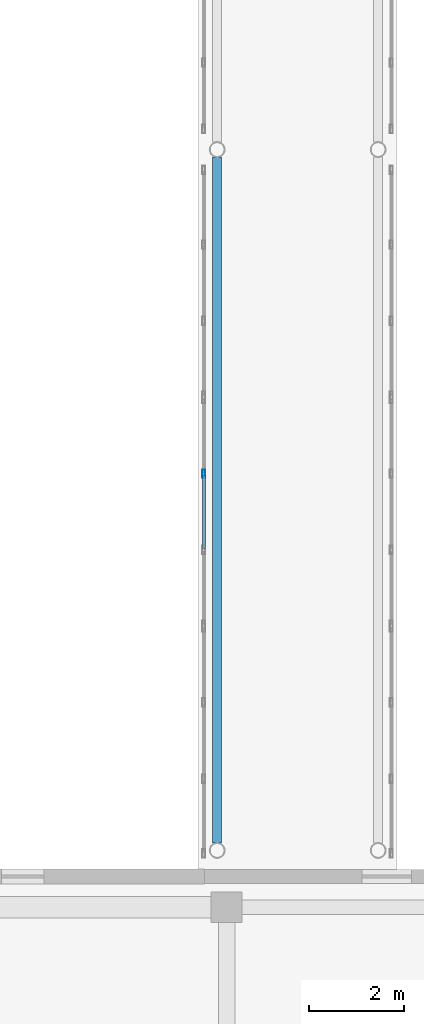
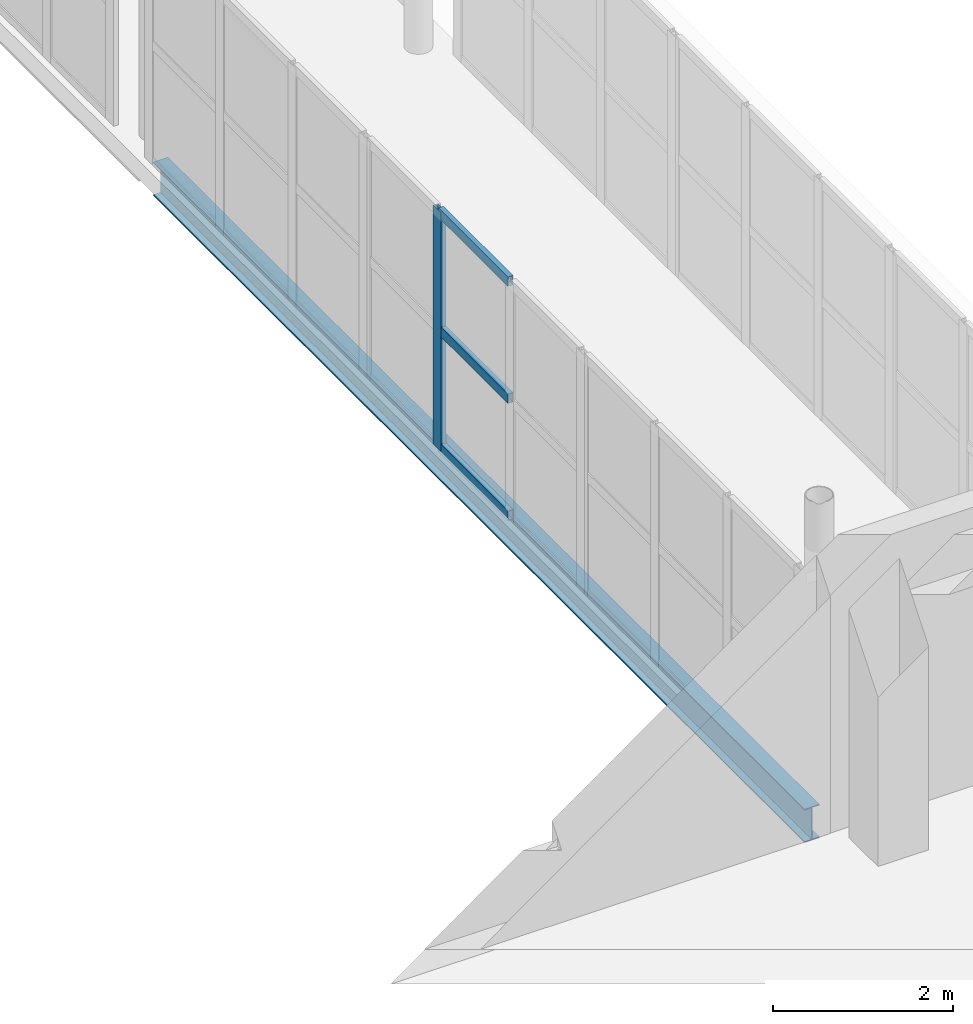
# One storey, part 33 of 146: 4 members, 1 beam, 1 element without a shape of its own.
"""IFC4 building model written with IfcOpenShell, lengths in metres."""

from ifc_helpers import new_model, si_unit, direction, frame, origin, origin_2d, place, context, subcontext, project, spatial, hollow_rectangle, i_section, extrude, material, layer, layer_set, material_profile, profile_set, type_object, element, aggregate, save


model = new_model("IFC4")

# Units and contexts
model_context = context("Model", 3, precision=1e-05, world=origin(), true_north=direction((0.0, 1.0)))
body_context = subcontext(model_context, "Body", "Model", "MODEL_VIEW")
ifc_project = project(units=[si_unit("LENGTHUNIT", "METRE"), si_unit("AREAUNIT", "SQUARE_METRE"), si_unit("VOLUMEUNIT", "CUBIC_METRE"), si_unit("PLANEANGLEUNIT", "RADIAN"), si_unit("MASSUNIT", "GRAM", prefix="KILO")], contexts=[model_context])

# Site, building, storey
site_placement = place(None, origin())
site = spatial("IfcSite", under=ifc_project, at=site_placement, CompositionType="ELEMENT")
building_placement = place(site_placement, origin())
building = spatial("IfcBuilding", under=site, at=building_placement, Name="Valcora Specialist Clinic", CompositionType="ELEMENT")
storey_placement = place(building_placement, frame((0.0, 0.0, 9.52001953125)))
storey = spatial("IfcBuildingStorey", under=building, at=storey_placement, Name="L02", CompositionType="ELEMENT", Elevation=9.52001953125)

# Beam
ifc_material_1 = material(Name="Steel ASTM A992 Grade 50", Category="steel")
ifc_material_profile_1 = material_profile(ifc_material_1, i_section(OverallWidth=0.18994140625, OverallDepth=0.45703125, WebThickness=0.009033203125, FlangeThickness=0.014892578125, at=origin_2d()), Name="ST-IR-460X190")
ifc_profile_set_1 = profile_set([ifc_material_profile_1], Name="Steel ASTM A992 Grade 50")
beam_type = type_object("IfcBeamType", Name="TY-BG-IR460", PredefinedType="HOLLOWCORE", material=ifc_profile_set_1)
beam_placement = place(storey_placement, frame((61.60009765625, 23.360107421875, -0.482421875), z_axis=(0.0, 1.0, 0.0), x_axis=(-1.0, 0.0, 0.0)))
element("IfcBeam", 1, at=beam_placement, inside=storey, type_object=beam_type, Name="Bridge girder BM-L02-1624", PredefinedType="HOLLOWCORE", context=body_context, shape_type="SweptSolid", body=[
    extrude(i_section(OverallWidth=0.18994140625, OverallDepth=0.45703125, WebThickness=0.009033203125, FlangeThickness=0.014892578125, at=origin_2d()), origin(), (0.0, 0.0, 1.0), 14.47998046875),
])

# Curtain wall, members
ifc_material_2 = material(Name="Anodized Bronze Aluminium 6063-T6", Category="aluminium")
ifc_layer = layer(ifc_material_2, 0.175048828125)
ifc_layer_set = layer_set([ifc_layer], Name="Anodized Bronze Aluminium 6063-T6")
curtain_wall_type = type_object("IfcCurtainWallType", Name="TY-CW-BRG14", PredefinedType="NOTDEFINED", material=ifc_layer_set)
curtain_wall_placement = place(storey_placement, origin())
curtain_wall = element("IfcCurtainWall", 2, at=curtain_wall_placement, inside=storey, type_object=curtain_wall_type, Name="Curtain wall CW-L02-250", PredefinedType="NOTDEFINED")
ifc_material_profile_2 = material_profile(ifc_material_2, hollow_rectangle(XDim=0.06494140625, YDim=0.175048828125, WallThickness=0.00390625, at=origin_2d()), Name="AL-MUL-65X175")
ifc_profile_set_2 = profile_set([ifc_material_profile_2], Name="Anodized Bronze Aluminium 6063-T6")
member_type_1 = type_object("IfcMemberType", Name="TY-CWM-65X175", PredefinedType="MULLION", material=ifc_profile_set_2)
member_1_placement = place(storey_placement, frame((61.320068359375, 31.155517578125, 0.0), z_axis=(0.0, 0.0, 1.0), x_axis=(-1.0, 0.0, 0.0)))
member_1 = element("IfcMember", 3, at=member_1_placement, type_object=member_type_1, Name="CW-BRG-14 mullion 3", PredefinedType="MULLION", context=body_context, shape_type="SweptSolid", body=[
    extrude(hollow_rectangle(XDim=0.06494140625, YDim=0.175048828125, WallThickness=0.00390625, at=origin_2d()), origin(), (0.0, 0.0, 1.0), 3.239990234375),
])
ifc_material_profile_3 = material_profile(ifc_material_2, hollow_rectangle(XDim=0.06494140625, YDim=0.1298828125, WallThickness=0.00390625, at=origin_2d()), Name="AL-TRN-65X130")
ifc_profile_set_3 = profile_set([ifc_material_profile_3], Name="Anodized Bronze Aluminium 6063-T6")
member_type_2 = type_object("IfcMemberType", Name="TY-CWT-65X130", PredefinedType="USERDEFINED", material=ifc_profile_set_3)
member_2_placement = place(storey_placement, frame((61.320068359375, 29.576904296875, 0.032470703125), z_axis=(0.0, 1.0, 0.0), x_axis=(-1.0, 0.0, 0.0)))
member_2 = element("IfcMember", 4, at=member_2_placement, type_object=member_type_2, Name="CW-BRG-14 transom 2.1", ObjectType="TRANSOM", PredefinedType="USERDEFINED", context=body_context, shape_type="SweptSolid", body=[
    extrude(hollow_rectangle(XDim=0.06494140625, YDim=0.1298828125, WallThickness=0.00390625, at=origin_2d()), origin(), (0.0, 0.0, 1.0), 1.546142578125),
])
member_3_placement = place(storey_placement, frame((61.320068359375, 29.576904296875, 1.619873046875), z_axis=(0.0, 1.0, 0.0), x_axis=(-1.0, 0.0, 0.0)))
member_3 = element("IfcMember", 5, at=member_3_placement, type_object=member_type_2, Name="CW-BRG-14 transom 2.2", ObjectType="TRANSOM", PredefinedType="USERDEFINED", context=body_context, shape_type="SweptSolid", body=[
    extrude(hollow_rectangle(XDim=0.06494140625, YDim=0.1298828125, WallThickness=0.00390625, at=origin_2d()), origin(), (0.0, 0.0, 1.0), 1.546142578125),
])
member_4_placement = place(storey_placement, frame((61.320068359375, 29.576904296875, 3.20751953125), z_axis=(0.0, 1.0, 0.0), x_axis=(-1.0, 0.0, 0.0)))
member_4 = element("IfcMember", 6, at=member_4_placement, type_object=member_type_2, Name="CW-BRG-14 transom 2.3", ObjectType="TRANSOM", PredefinedType="USERDEFINED", context=body_context, shape_type="SweptSolid", body=[
    extrude(hollow_rectangle(XDim=0.06494140625, YDim=0.1298828125, WallThickness=0.00390625, at=origin_2d()), origin(), (0.0, 0.0, 1.0), 1.546142578125),
])
aggregate(curtain_wall, [member_1, member_2, member_3, member_4])

save(model, "model.ifc")
